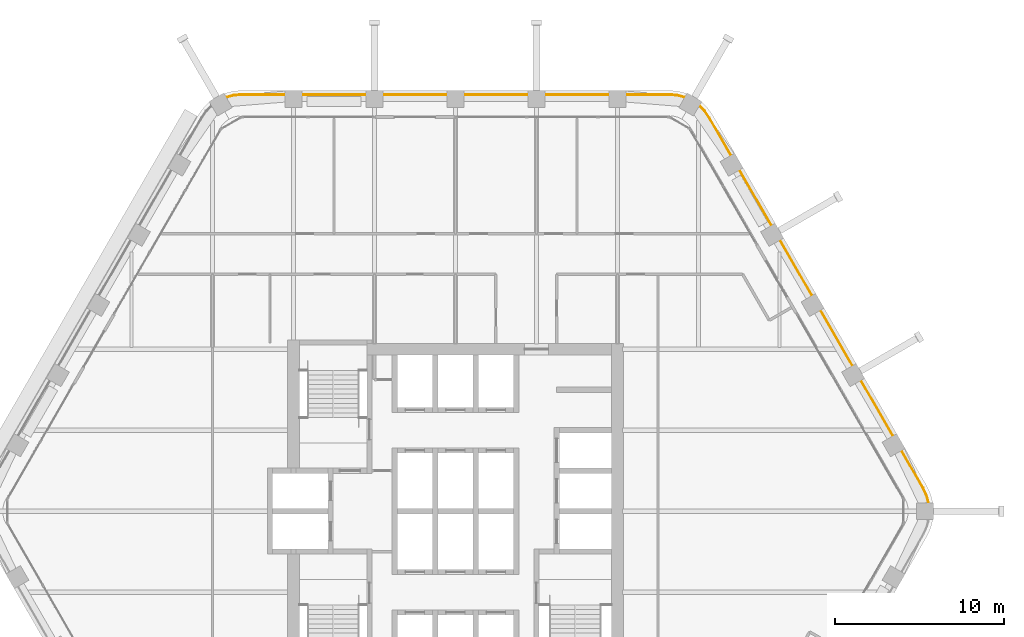
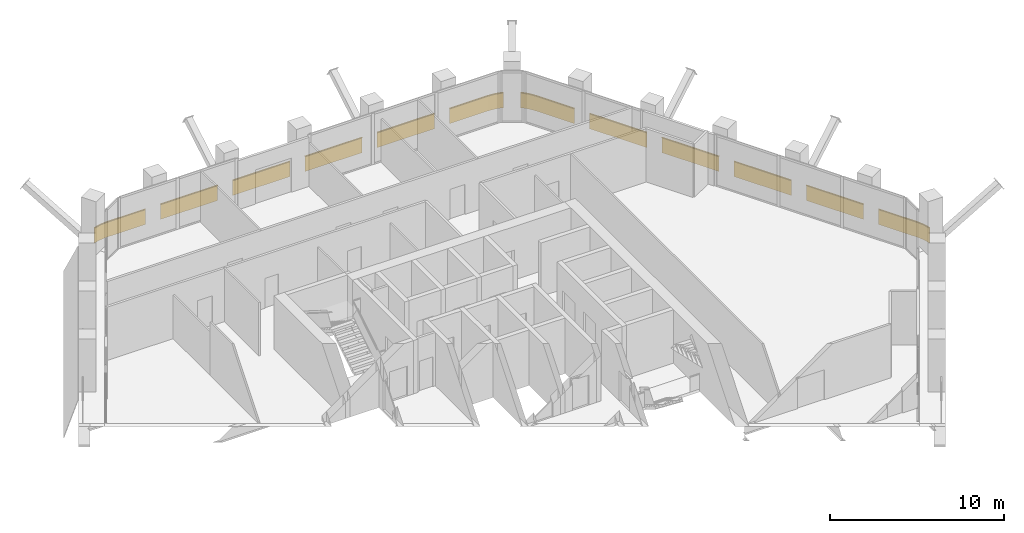
# One storey, part 16 of 16: 2 railings.
"""IFC4 building model written with IfcOpenShell, lengths in metres."""

from ifc_helpers import new_model, si_unit, direction, frame, frame_2d, origin, origin_2d, place, context, subcontext, project, spatial, rectangle, extrude, material, type_object, element, save


model = new_model("IFC4")

# Units and contexts
model_context = context("Model", 3, precision=1e-05, world=origin(), true_north=direction((0.0, 1.0)))
body_context = subcontext(model_context, "Body", "Model", "MODEL_VIEW")
ifc_project = project(units=[si_unit("LENGTHUNIT", "METRE"), si_unit("AREAUNIT", "SQUARE_METRE"), si_unit("VOLUMEUNIT", "CUBIC_METRE"), si_unit("PLANEANGLEUNIT", "RADIAN"), si_unit("MASSUNIT", "GRAM", prefix="KILO")], contexts=[model_context])

# Site, building, storey
site_placement = place(None, origin())
site = spatial("IfcSite", under=ifc_project, at=site_placement, CompositionType="ELEMENT")
building_placement = place(site_placement, origin())
building = spatial("IfcBuilding", under=site, at=building_placement, Name="Kolab Exchange Tower", CompositionType="ELEMENT")
storey_placement = place(building_placement, frame((0.0, 0.0, 162.199951171875)))
storey = spatial("IfcBuildingStorey", under=building, at=storey_placement, Name="L33", CompositionType="ELEMENT", Elevation=162.199951171875)

# Railings
ifc_material = material(Name="Steel S235", Category="steel")
railing_type = type_object("IfcRailingType", Name="GUARD 1100 GLASS BALUSTRADE AND STEEL TOP RAIL", PredefinedType="GUARDRAIL", material=ifc_material)
railing_1_placement = place(storey_placement, frame((13.588623046875, 24.531005859375, 0.0)))
element("IfcRailing", 1, at=railing_1_placement, inside=storey, type_object=railing_type, Name="Guard", PredefinedType="GUARDRAIL", context=body_context, shape_type="SweptSolid", body=[
    extrude(rectangle(XDim=0.05, YDim=0.05, at=origin_2d()), frame((0.0, 0.0, 1.0751953125), z_axis=(-0.965969425465, 0.25865627591, 0.0), x_axis=(-0.25865627591, -0.965969425465, 0.0)), (0.0, 0.0, 1.0), 0.458740234375),
    extrude(rectangle(XDim=0.012, YDim=1.05009765625, at=frame_2d((0.0, 0.525146484375))), frame((0.0, 0.0, 0.0), z_axis=(-0.965969425465, 0.25865627591, 0.0), x_axis=(-0.25865627591, -0.965969425465, 0.0)), (0.0, 0.0, 1.0), 0.458740234375),
    extrude(rectangle(XDim=0.05, YDim=0.05, at=origin_2d()), frame((-0.443115234375, 0.11865234375, 1.0751953125), z_axis=(-0.996156034798, 0.087596542937, 0.0), x_axis=(-0.087596542937, -0.996156034798, 0.0)), (0.0, 0.0, 1.0), 0.4794921875),
    extrude(rectangle(XDim=0.012, YDim=1.05009765625, at=frame_2d((0.0, 0.525146484375))), frame((-0.443115234375, 0.11865234375, 0.0), z_axis=(-0.996156034798, 0.087596542937, 0.0), x_axis=(-0.087596542937, -0.996156034798, 0.0)), (0.0, 0.0, 1.0), 0.4794921875),
    extrude(rectangle(XDim=0.05, YDim=0.05, at=origin_2d()), frame((-0.920654296875, 0.16064453125, 1.0751953125), z_axis=(-1.0, 0.0, 0.0), x_axis=(0.0, -1.0, 0.0)), (0.0, 0.0, 1.0), 2.56787109375),
    extrude(rectangle(XDim=0.012, YDim=1.05009765625, at=frame_2d((0.0, 0.525146484375))), frame((-0.920654296875, 0.16064453125, 0.0), z_axis=(-1.0, 0.0, 0.0), x_axis=(0.0, -1.0, 0.0)), (0.0, 0.0, 1.0), 2.56787109375),
    extrude(rectangle(XDim=0.05, YDim=0.05, at=origin_2d()), frame((-4.488525390625, 0.16064453125, 1.0751953125), z_axis=(-1.0, 0.0, 0.0), x_axis=(0.0, -1.0, 0.0)), (0.0, 0.0, 1.0), 3.800048828125),
    extrude(rectangle(XDim=0.012, YDim=1.05009765625, at=frame_2d((0.0, 0.525146484375))), frame((-4.488525390625, 0.16064453125, 0.0), z_axis=(-1.0, 0.0, 0.0), x_axis=(0.0, -1.0, 0.0)), (0.0, 0.0, 1.0), 3.800048828125),
    extrude(rectangle(XDim=0.05, YDim=0.05, at=origin_2d()), frame((-9.28857421875, 0.16064453125, 1.0751953125), z_axis=(-1.0, 0.0, 0.0), x_axis=(0.0, -1.0, 0.0)), (0.0, 0.0, 1.0), 3.800048828125),
    extrude(rectangle(XDim=0.012, YDim=1.05009765625, at=frame_2d((0.0, 0.525146484375))), frame((-9.28857421875, 0.16064453125, 0.0), z_axis=(-1.0, 0.0, 0.0), x_axis=(0.0, -1.0, 0.0)), (0.0, 0.0, 1.0), 3.800048828125),
    extrude(rectangle(XDim=0.05, YDim=0.05, at=origin_2d()), frame((-14.088623046875, 0.16064453125, 1.0751953125), z_axis=(-1.0, 0.0, 0.0), x_axis=(0.0, -1.0, 0.0)), (0.0, 0.0, 1.0), 3.800048828125),
    extrude(rectangle(XDim=0.012, YDim=1.05009765625, at=frame_2d((0.0, 0.525146484375))), frame((-14.088623046875, 0.16064453125, 0.0), z_axis=(-1.0, 0.0, 0.0), x_axis=(0.0, -1.0, 0.0)), (0.0, 0.0, 1.0), 3.800048828125),
    extrude(rectangle(XDim=0.05, YDim=0.05, at=origin_2d()), frame((-18.888671875, 0.16064453125, 1.0751953125), z_axis=(-1.0, 0.0, 0.0), x_axis=(0.0, -1.0, 0.0)), (0.0, 0.0, 1.0), 3.800048828125),
    extrude(rectangle(XDim=0.012, YDim=1.05009765625, at=frame_2d((0.0, 0.525146484375))), frame((-18.888671875, 0.16064453125, 0.0), z_axis=(-1.0, 0.0, 0.0), x_axis=(0.0, -1.0, 0.0)), (0.0, 0.0, 1.0), 3.800048828125),
    extrude(rectangle(XDim=0.05, YDim=0.05, at=origin_2d()), frame((-23.688720703125, 0.16064453125, 1.0751953125), z_axis=(-1.0, 0.0, 0.0), x_axis=(0.0, -1.0, 0.0)), (0.0, 0.0, 1.0), 2.56787109375),
    extrude(rectangle(XDim=0.012, YDim=1.05009765625, at=frame_2d((0.0, 0.525146484375))), frame((-23.688720703125, 0.16064453125, 0.0), z_axis=(-1.0, 0.0, 0.0), x_axis=(0.0, -1.0, 0.0)), (0.0, 0.0, 1.0), 2.56787109375),
    extrude(rectangle(XDim=0.05, YDim=0.05, at=origin_2d()), frame((-26.256591796875, 0.16064453125, 1.0751953125), z_axis=(-0.996156034798, -0.087596542937, 0.0), x_axis=(0.087596542937, -0.996156034798, 0.0)), (0.0, 0.0, 1.0), 0.4794921875),
    extrude(rectangle(XDim=0.012, YDim=1.05009765625, at=frame_2d((0.0, 0.525146484375))), frame((-26.256591796875, 0.16064453125, 0.0), z_axis=(-0.996156034798, -0.087596542937, 0.0), x_axis=(0.087596542937, -0.996156034798, 0.0)), (0.0, 0.0, 1.0), 0.4794921875),
    extrude(rectangle(XDim=0.05, YDim=0.05, at=origin_2d()), frame((-26.734130859375, 0.11865234375, 1.0751953125), z_axis=(-0.965969425465, -0.25865627591, 0.0), x_axis=(0.25865627591, -0.965969425465, 0.0)), (0.0, 0.0, 1.0), 0.458740234375),
    extrude(rectangle(XDim=0.012, YDim=1.05009765625, at=frame_2d((0.0, 0.525146484375))), frame((-26.734130859375, 0.11865234375, 0.0), z_axis=(-0.965969425465, -0.25865627591, 0.0), x_axis=(0.25865627591, -0.965969425465, 0.0)), (0.0, 0.0, 1.0), 0.458740234375),
])
railing_2_placement = place(storey_placement, frame((28.038818359375, 0.49755859375, 0.0)))
element("IfcRailing", 2, at=railing_2_placement, inside=storey, type_object=railing_type, Name="Guard", PredefinedType="GUARDRAIL", context=body_context, shape_type="SweptSolid", body=[
    extrude(rectangle(XDim=0.05, YDim=0.05, at=origin_2d()), frame((0.0, 0.0, 1.0751953125), z_axis=(-0.25865627591, 0.965969425465, 0.0), x_axis=(-0.965969425465, -0.25865627591, 0.0)), (0.0, 0.0, 1.0), 0.458740234375),
    extrude(rectangle(XDim=0.012, YDim=1.05009765625, at=frame_2d((0.0, 0.525146484375))), frame((0.0, 0.0, 0.0), z_axis=(-0.25865627591, 0.965969425465, 0.0), x_axis=(-0.965969425465, -0.25865627591, 0.0)), (0.0, 0.0, 1.0), 0.458740234375),
    extrude(rectangle(XDim=0.05, YDim=0.05, at=origin_2d()), frame((-0.11865234375, 0.443115234375, 1.0751953125), z_axis=(-0.422801802984, 0.906222177721, 0.0), x_axis=(-0.906222177721, -0.422801802984, 0.0)), (0.0, 0.0, 1.0), 0.479248046875),
    extrude(rectangle(XDim=0.012, YDim=1.05009765625, at=frame_2d((0.0, 0.525146484375))), frame((-0.11865234375, 0.443115234375, 0.0), z_axis=(-0.422801802984, 0.906222177721, 0.0), x_axis=(-0.906222177721, -0.422801802984, 0.0)), (0.0, 0.0, 1.0), 0.479248046875),
    extrude(rectangle(XDim=0.05, YDim=0.05, at=origin_2d()), frame((-0.3212890625, 0.87744140625, 1.0751953125), z_axis=(-0.499994038704, 0.866028845513, 0.0), x_axis=(-0.866028845513, -0.499994038704, 0.0)), (0.0, 0.0, 1.0), 2.56787109375),
    extrude(rectangle(XDim=0.012, YDim=1.05009765625, at=frame_2d((0.0, 0.525146484375))), frame((-0.3212890625, 0.87744140625, 0.0), z_axis=(-0.499994038704, 0.866028845513, 0.0), x_axis=(-0.866028845513, -0.499994038704, 0.0)), (0.0, 0.0, 1.0), 2.56787109375),
    extrude(rectangle(XDim=0.05, YDim=0.05, at=origin_2d()), frame((-2.105224609375, 3.96728515625, 1.0751953125), z_axis=(-0.500015340139, 0.86601654697, 0.0), x_axis=(-0.86601654697, -0.500015340139, 0.0)), (0.0, 0.0, 1.0), 3.80029296875),
    extrude(rectangle(XDim=0.012, YDim=1.05009765625, at=frame_2d((0.0, 0.525146484375))), frame((-2.105224609375, 3.96728515625, 0.0), z_axis=(-0.500015340139, 0.86601654697, 0.0), x_axis=(-0.86601654697, -0.500015340139, 0.0)), (0.0, 0.0, 1.0), 3.80029296875),
    extrude(rectangle(XDim=0.05, YDim=0.05, at=origin_2d()), frame((-4.50537109375, 8.124267578125, 1.0751953125), z_axis=(-0.499967155389, 0.866044365799, 0.0), x_axis=(-0.866044365799, -0.499967155389, 0.0)), (0.0, 0.0, 1.0), 3.800048828125),
    extrude(rectangle(XDim=0.012, YDim=1.05009765625, at=frame_2d((0.0, 0.525146484375))), frame((-4.50537109375, 8.124267578125, 0.0), z_axis=(-0.499967155389, 0.866044365799, 0.0), x_axis=(-0.866044365799, -0.499967155389, 0.0)), (0.0, 0.0, 1.0), 3.800048828125),
    extrude(rectangle(XDim=0.05, YDim=0.05, at=origin_2d()), frame((-6.9052734375, 12.28125, 1.0751953125), z_axis=(-0.500043160704, 0.866000483506, 0.0), x_axis=(-0.866000483506, -0.500043160704, 0.0)), (0.0, 0.0, 1.0), 3.800048828125),
    extrude(rectangle(XDim=0.012, YDim=1.05009765625, at=frame_2d((0.0, 0.525146484375))), frame((-6.9052734375, 12.28125, 0.0), z_axis=(-0.500043160704, 0.866000483506, 0.0), x_axis=(-0.866000483506, -0.500043160704, 0.0)), (0.0, 0.0, 1.0), 3.800048828125),
    extrude(rectangle(XDim=0.05, YDim=0.05, at=origin_2d()), frame((-9.305419921875, 16.438232421875, 1.0751953125), z_axis=(-0.499994975061, 0.866028304915, 0.0), x_axis=(-0.866028304915, -0.499994975061, 0.0)), (0.0, 0.0, 1.0), 3.7998046875),
    extrude(rectangle(XDim=0.012, YDim=1.05009765625, at=frame_2d((0.0, 0.525146484375))), frame((-9.305419921875, 16.438232421875, 0.0), z_axis=(-0.499994975061, 0.866028304915, 0.0), x_axis=(-0.866028304915, -0.499994975061, 0.0)), (0.0, 0.0, 1.0), 3.7998046875),
    extrude(rectangle(XDim=0.05, YDim=0.05, at=origin_2d()), frame((-11.705322265625, 20.594970703125, 1.0751953125), z_axis=(-0.499952873616, 0.866052610505, 0.0), x_axis=(-0.866052610505, -0.499952873616, 0.0)), (0.0, 0.0, 1.0), 2.568115234375),
    extrude(rectangle(XDim=0.012, YDim=1.05009765625, at=frame_2d((0.0, 0.525146484375))), frame((-11.705322265625, 20.594970703125, 0.0), z_axis=(-0.499952873616, 0.866052610505, 0.0), x_axis=(-0.866052610505, -0.499952873616, 0.0)), (0.0, 0.0, 1.0), 2.568115234375),
    extrude(rectangle(XDim=0.05, YDim=0.05, at=origin_2d()), frame((-12.9892578125, 22.819091796875, 1.0751953125), z_axis=(-0.573599091554, 0.819136180478, 0.0), x_axis=(-0.819136180478, -0.573599091554, 0.0)), (0.0, 0.0, 1.0), 0.479248046875),
    extrude(rectangle(XDim=0.012, YDim=1.05009765625, at=frame_2d((0.0, 0.525146484375))), frame((-12.9892578125, 22.819091796875, 0.0), z_axis=(-0.573599091554, 0.819136180478, 0.0), x_axis=(-0.819136180478, -0.573599091554, 0.0)), (0.0, 0.0, 1.0), 0.479248046875),
    extrude(rectangle(XDim=0.05, YDim=0.05, at=origin_2d()), frame((-13.26416015625, 23.211669921875, 1.0751953125), z_axis=(-0.70737286085, 0.706840601361, 0.0), x_axis=(-0.706840601361, -0.70737286085, 0.0)), (0.0, 0.0, 1.0), 0.458740234375),
    extrude(rectangle(XDim=0.012, YDim=1.05009765625, at=frame_2d((0.0, 0.525146484375))), frame((-13.26416015625, 23.211669921875, 0.0), z_axis=(-0.70737286085, 0.706840601361, 0.0), x_axis=(-0.706840601361, -0.70737286085, 0.0)), (0.0, 0.0, 1.0), 0.458740234375),
])

save(model, "model.ifc")
